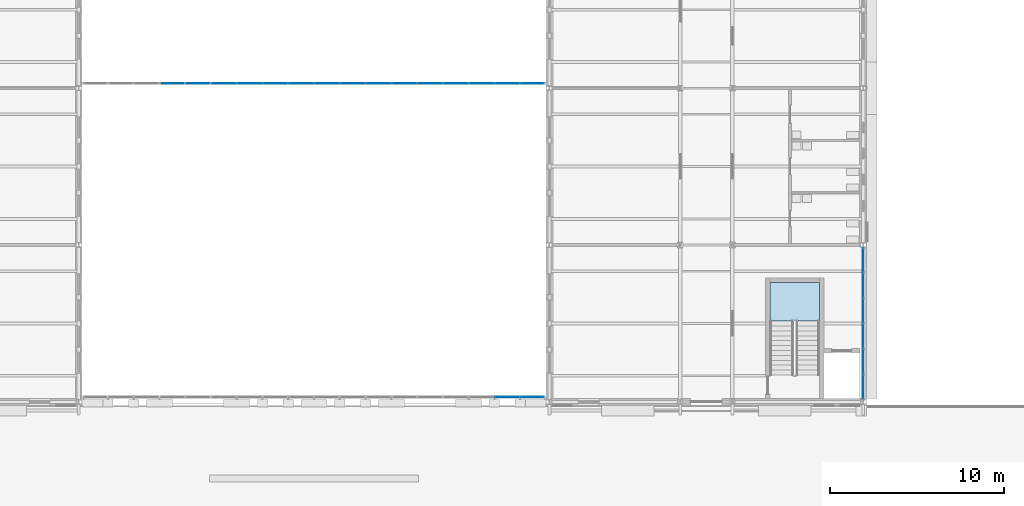
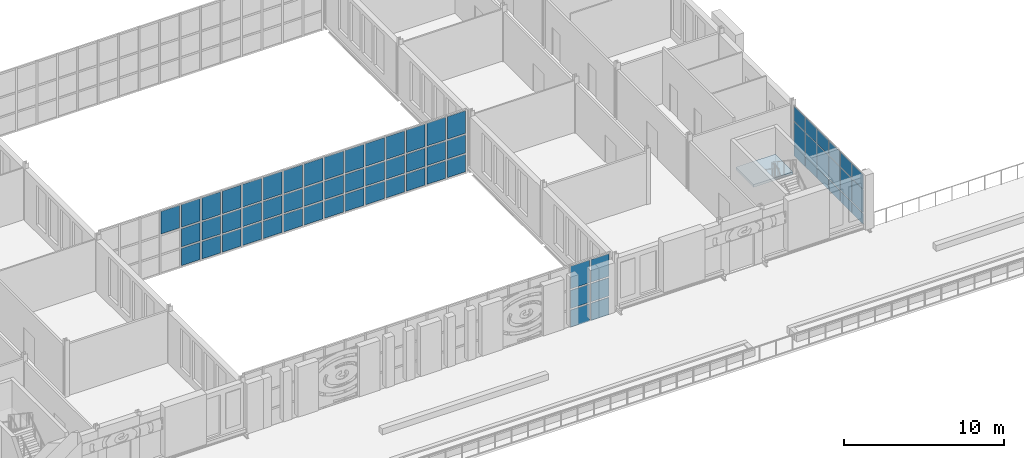
# One storey, part 60 of 134: 67 plates, 1 slab, 4 elements without a shape of their own.
"""IFC4 building model written with IfcOpenShell, lengths in metres."""

import ifcopenshell
import ifcopenshell.guid

model = None  # the IFC model being written
_history = None  # IfcOwnerHistory: only IFC2X3 demands one
_inside = {}  # id of a spatial element -> (the spatial element, [elements in it])
_under = {}  # id of a project, library or spatial element -> (it, [spatial elements below it])
_declared = {}  # id of a project -> (the project, [libraries it declares])
_typed = {}  # id of a type object -> (the type object, [elements of that type])
_made_of = {}  # id of a material, layer set ... -> (it, [elements and type objects made of it])


def new_model(schema):
    """Start an empty IFC model of exactly this schema.

    Asked for "IFC4X3", IfcOpenShell would pick the latest addendum, in which some entities
    have other attributes; the version numbers below select the first issue.
    IFC2X3 requires an IfcOwnerHistory on every rooted entity: one is made here for all.
    """
    global model, _history
    if schema == "IFC4X3":
        model = ifcopenshell.file(schema_version=(4, 3, 0, 0))
    else:
        model = ifcopenshell.file(schema=schema)
    _inside.clear()
    _under.clear()
    _declared.clear()
    _typed.clear()
    _made_of.clear()
    _history = None
    if model.schema == "IFC2X3":
        org = make("IfcOrganization", Name="unknown")
        user = make(
            "IfcPersonAndOrganization",
            ThePerson=make("IfcPerson", FamilyName="unknown"),
            TheOrganization=org,
        )
        app = make(
            "IfcApplication",
            ApplicationDeveloper=org,
            Version="unknown",
            ApplicationFullName="unknown",
            ApplicationIdentifier="unknown",
        )
        _history = make(
            "IfcOwnerHistory",
            OwningUser=user,
            OwningApplication=app,
            ChangeAction="ADDED",
            CreationDate=0,
        )
    return model


def make(cls, **values):
    """One entity of the class cls with the attributes given. An attribute that is None is left unset."""
    return model.create_entity(
        cls, **{name: value for name, value in values.items() if value is not None}
    )


def rooted(cls, **values):
    """An entity with a GlobalId (a new one), such as an element, a storey or a relation."""
    return make(cls, GlobalId=ifcopenshell.guid.new(), OwnerHistory=_history, **values)


def si_unit(unit_type, name, prefix=None):
    """IfcSIUnit, for example si_unit("LENGTHUNIT", "METRE", prefix="MILLI")."""
    return make("IfcSIUnit", UnitType=unit_type, Prefix=prefix, Name=name)


def assignment(units):
    """IfcUnitAssignment: the units of a project."""
    return None if units is None else make("IfcUnitAssignment", Units=units)


def point(xyz):
    """IfcCartesianPoint."""
    return None if xyz is None else make("IfcCartesianPoint", Coordinates=xyz)


def direction(xyz):
    """IfcDirection."""
    return None if xyz is None else make("IfcDirection", DirectionRatios=xyz)


def frame(location, z_axis=None, x_axis=None):
    """IfcAxis2Placement3D, a coordinate frame: its origin and axes. An axis left out is left unset."""
    return make(
        "IfcAxis2Placement3D",
        Location=point(location),
        Axis=direction(z_axis),
        RefDirection=direction(x_axis),
    )


def frame_2d(location, x_axis=None):
    """IfcAxis2Placement2D, a coordinate frame in the plane: its origin and x axis."""
    return make(
        "IfcAxis2Placement2D", Location=point(location), RefDirection=direction(x_axis)
    )


def origin():
    """The frame at (0, 0, 0) with its axes left unset."""
    return frame((0.0, 0.0, 0.0))


def origin_2d():
    """The frame at (0, 0) in the plane with its x axis left unset."""
    return frame_2d((0.0, 0.0))


def place(relative_to, where):
    """IfcLocalPlacement: puts the frame where relative to a parent placement (None: the world)."""
    return make(
        "IfcLocalPlacement", PlacementRelTo=relative_to, RelativePlacement=where
    )


def context(
    kind, dimensions, precision=None, world=None, true_north=None, identifier=None
):
    """IfcGeometricRepresentationContext, for example the 3D "Model" context."""
    return make(
        "IfcGeometricRepresentationContext",
        ContextIdentifier=identifier,
        ContextType=kind,
        CoordinateSpaceDimension=dimensions,
        Precision=precision,
        WorldCoordinateSystem=world,
        TrueNorth=true_north,
    )


def subcontext(parent, identifier, kind, view, scale=None):
    """IfcGeometricRepresentationSubContext, for example "Body" below "Model"."""
    return make(
        "IfcGeometricRepresentationSubContext",
        ContextIdentifier=identifier,
        ContextType=kind,
        ParentContext=parent,
        TargetScale=scale,
        TargetView=view,
    )


def project(units=None, contexts=None):
    """IfcProject with its units and contexts."""
    return rooted(
        "IfcProject",
        Name="project",
        RepresentationContexts=contexts,
        UnitsInContext=assignment(units),
    )


def spatial(cls, under=None, at=None, **own):
    """A site, building, storey or space (cls), placed at a placement, below another one or the project."""
    s = rooted(cls, ObjectPlacement=at, **own)
    if under is not None:
        _under.setdefault(under.id(), (under, []))[1].append(s)
    return s


def polyline(points):
    """IfcPolyline through the points."""
    return make("IfcPolyline", Points=[point(p) for p in points])


def profile(cls, at=None, kind="AREA", **sizes):
    """A parametric profile (cls). Its sizes go by their IFC names, for example OverallWidth=200.0."""
    return make(cls, ProfileType=kind, Position=at, **sizes)


def rectangle(**sizes):
    """IfcRectangleProfileDef."""
    return profile("IfcRectangleProfileDef", **sizes)


def outline(outer, holes=None, kind="AREA"):
    """IfcArbitraryClosedProfileDef: a profile drawn as a closed curve; with holes, ...WithVoids."""
    if holes is None:
        return make("IfcArbitraryClosedProfileDef", ProfileType=kind, OuterCurve=outer)
    return make(
        "IfcArbitraryProfileDefWithVoids",
        ProfileType=kind,
        OuterCurve=outer,
        InnerCurves=holes,
    )


def extrude(swept, where, along, depth):
    """IfcExtrudedAreaSolid: the profile swept, set in the frame where, extruded along a direction by depth."""
    return make(
        "IfcExtrudedAreaSolid",
        SweptArea=swept,
        Position=where,
        ExtrudedDirection=direction(along),
        Depth=depth,
    )


def shape(context_of_items, identifier, shape_type, items):
    """IfcShapeRepresentation: the items that make up one representation, for example the "Body"."""
    return make(
        "IfcShapeRepresentation",
        ContextOfItems=context_of_items,
        RepresentationIdentifier=identifier,
        RepresentationType=shape_type,
        Items=items,
    )


def material(Name=None, Category=None):
    """IfcMaterial."""
    return make("IfcMaterial", Name=Name, Category=Category)


def layer(
    of_material, thickness, ventilated=None, Name=None, Category=None, Priority=None
):
    """IfcMaterialLayer: one layer of a wall or slab, of a material (None: an air gap)."""
    return make(
        "IfcMaterialLayer",
        Material=of_material,
        LayerThickness=thickness,
        IsVentilated=ventilated,
        Name=Name,
        Category=Category,
        Priority=Priority,
    )


def layer_set(layers, Name=None):
    """IfcMaterialLayerSet."""
    return make("IfcMaterialLayerSet", MaterialLayers=layers, LayerSetName=Name)


def made_of(thing, what):
    """Note that an element or type object is made of a material, layer set ...; save() writes the relation."""
    if what is not None:
        _made_of.setdefault(what.id(), (what, []))[1].append(thing)
    return thing


def type_object(cls, material=None, **own):
    """A type object (cls), such as IfcWallType, which elements share."""
    return made_of(rooted(cls, **own), material)


def element(
    cls,
    number,
    at=None,
    inside=None,
    cuts=None,
    type_object=None,
    material=None,
    context=None,
    identifier="Body",
    shape_type=None,
    held_by="IfcProductDefinitionShape",
    body=None,
    shapes=None,
    **own,
):
    """One element of the class cls, such as IfcWall. Its Tag is "e" and its number.

    at: its placement. inside: the storey or other place that contains it. cuts: it is an
    opening in that element (IfcRelVoidsElement). A single representation is given by context,
    identifier, shape_type and body (its items); several are given by shapes. held_by: the class
    of the entity that holds the representations. save() writes the other relations.
    """
    e = rooted(cls, Tag="e%d" % number, ObjectPlacement=at, **own)
    if body is not None:
        shapes = [shape(context, identifier, shape_type, body)]
    if shapes is not None:
        e.Representation = make(held_by, Representations=shapes)
    if inside is not None:
        _inside.setdefault(inside.id(), (inside, []))[1].append(e)
    if cuts is not None:
        rooted(
            "IfcRelVoidsElement", RelatingBuildingElement=cuts, RelatedOpeningElement=e
        )
    if type_object is not None:
        _typed.setdefault(type_object.id(), (type_object, []))[1].append(e)
    return made_of(e, material)


def aggregate(whole, parts):
    """IfcRelAggregates: a whole, such as a stair, and the parts it consists of."""
    return rooted("IfcRelAggregates", RelatingObject=whole, RelatedObjects=parts)


def save(model, path):
    """Write the relations noted so far, then the file.

    IfcRelAggregates (storeys below a building ...), IfcRelContainedInSpatialStructure (elements
    in a storey), IfcRelDefinesByType, IfcRelAssociatesMaterial and IfcRelDeclares: one each for
    every whole, place, type object, material and project.
    """
    for whole, parts in _under.values():
        aggregate(whole, parts)
    for where, things in _inside.values():
        rooted(
            "IfcRelContainedInSpatialStructure",
            RelatedElements=things,
            RelatingStructure=where,
        )
    for kind, things in _typed.values():
        rooted("IfcRelDefinesByType", RelatedObjects=things, RelatingType=kind)
    for what, things in _made_of.values():
        rooted("IfcRelAssociatesMaterial", RelatedObjects=things, RelatingMaterial=what)
    for by, libraries in _declared.values():
        rooted("IfcRelDeclares", RelatingContext=by, RelatedDefinitions=libraries)
    model.write(path)


model = new_model("IFC4")

# Units and contexts
model_context = context("Model", 3, precision=1e-05, world=origin(), true_north=direction((0.0, 1.0)))
body_context = subcontext(model_context, "Body", "Model", "MODEL_VIEW")
ifc_project = project(units=[si_unit("LENGTHUNIT", "METRE"), si_unit("AREAUNIT", "SQUARE_METRE"), si_unit("VOLUMEUNIT", "CUBIC_METRE"), si_unit("PLANEANGLEUNIT", "RADIAN"), si_unit("MASSUNIT", "GRAM", prefix="KILO")], contexts=[model_context])

# Site, building, storey
site_placement = place(None, origin())
site = spatial("IfcSite", under=ifc_project, at=site_placement, CompositionType="ELEMENT")
building_placement = place(site_placement, origin())
building = spatial("IfcBuilding", under=site, at=building_placement, Name="Golden Quay Civic Hall", CompositionType="ELEMENT")
storey_placement = place(building_placement, frame((0.0, 0.0, 5.39990234375)))
storey = spatial("IfcBuildingStorey", under=building, at=storey_placement, Name="L01", CompositionType="ELEMENT", Elevation=5.39990234375)

# Stair, slab
ifc_material_1 = material(Name="Concrete C35/45", Category="concrete")
stair_type = type_object("IfcStairType", Name="Concrete stair 1350 wide 24 risers of 187.5", PredefinedType="HALF_TURN_STAIR", material=ifc_material_1)
stair_placement = place(storey_placement, origin())
stair = element("IfcStair", 1, at=stair_placement, inside=storey, type_object=stair_type, Name="L01 Stair EM-S", PredefinedType="HALF_TURN_STAIR")
ifc_material_2 = material(Name="Concrete C35/45", Category="concrete")
ifc_layer_1 = layer(ifc_material_2, 0.199951171875)
ifc_layer_set_1 = layer_set([ifc_layer_1], Name="Concrete stair landing 200, Concrete C35/45")
slab_type = type_object("IfcSlabType", Name="Concrete stair landing 200", PredefinedType="LANDING", material=ifc_layer_set_1)
slab_placement = place(storey_placement, frame((0.0, 0.0, 2.050048828125)))
slab = element("IfcSlab", 2, at=slab_placement, type_object=slab_type, Name="EM-S landing 1", PredefinedType="LANDING", context=body_context, shape_type="SweptSolid", body=[
    extrude(outline(polyline([(114.5, 4.6298828125), (114.5, 6.85009765625), (111.64990234375, 6.85009765625), (111.64990234375, 4.6298828125), (114.5, 4.6298828125)])), origin(), (0.0, 0.0, 1.0), 0.199951171875),
])
aggregate(stair, [slab])

# Curtain wall, plates
ifc_material_3 = material(Name="Glass, laminated double glazed", Category="glass")
ifc_layer_2 = layer(ifc_material_3, 0.199951171875)
ifc_layer_set_2 = layer_set([ifc_layer_2], Name="Glazed core strip curtain wall")
curtain_wall_type_1 = type_object("IfcCurtainWallType", Name="Glazed core strip curtain wall", PredefinedType="NOTDEFINED", material=ifc_layer_set_2)
curtain_wall_1_placement = place(storey_placement, origin())
curtain_wall_1 = element("IfcCurtainWall", 3, at=curtain_wall_1_placement, inside=storey, type_object=curtain_wall_type_1, Name="Glazed core strip curtain wall L01 4", PredefinedType="NOTDEFINED")
ifc_material_4 = material(Name="Glass, laminated double glazed", Category="glass")
ifc_layer_3 = layer(ifc_material_4, 0.028076171875)
ifc_layer_set_3 = layer_set([ifc_layer_3], Name="Double glazed curtain wall panel 28")
plate_type_1 = type_object("IfcPlateType", Name="Double glazed curtain wall panel 28", PredefinedType="CURTAIN_PANEL", material=ifc_layer_set_3)
plate_1_placement = place(storey_placement, frame((117.0, 8.12255859375, 0.06005859375), z_axis=(0.0, 0.0, 1.0), x_axis=(0.0, -1.0, 0.0)))
plate_1 = element("IfcPlate", 4, at=plate_1_placement, type_object=plate_type_1, Name="CW2 panel 1.1", PredefinedType="CURTAIN_PANEL", context=body_context, shape_type="SweptSolid", body=[
    extrude(rectangle(XDim=1.364990234375, YDim=0.028076171875, at=origin_2d()), origin(), (0.0, 0.0, 1.0), 0.81005859375),
])
plate_2_placement = place(storey_placement, frame((117.0, 8.12255859375, 0.93017578125), z_axis=(0.0, 0.0, 1.0), x_axis=(0.0, -1.0, 0.0)))
plate_2 = element("IfcPlate", 5, at=plate_2_placement, type_object=plate_type_1, Name="CW2 panel 1.2", PredefinedType="CURTAIN_PANEL", context=body_context, shape_type="SweptSolid", body=[
    extrude(rectangle(XDim=1.364990234375, YDim=0.028076171875, at=origin_2d()), origin(), (0.0, 0.0, 1.0), 1.739990234375),
])
plate_3_placement = place(storey_placement, frame((117.0, 8.12255859375, 2.72998046875), z_axis=(0.0, 0.0, 1.0), x_axis=(0.0, -1.0, 0.0)))
plate_3 = element("IfcPlate", 6, at=plate_3_placement, type_object=plate_type_1, Name="CW2 panel 1.3", PredefinedType="CURTAIN_PANEL", context=body_context, shape_type="SweptSolid", body=[
    extrude(rectangle(XDim=1.364990234375, YDim=0.028076171875, at=origin_2d()), origin(), (0.0, 0.0, 1.0), 1.110107421875),
])
plate_4_placement = place(storey_placement, frame((117.0, 6.6826171875, 0.06005859375), z_axis=(0.0, 0.0, 1.0), x_axis=(0.0, -1.0, 0.0)))
plate_4 = element("IfcPlate", 7, at=plate_4_placement, type_object=plate_type_1, Name="CW2 panel 2.1", PredefinedType="CURTAIN_PANEL", context=body_context, shape_type="SweptSolid", body=[
    extrude(rectangle(XDim=1.39501953125, YDim=0.028076171875, at=origin_2d()), origin(), (0.0, 0.0, 1.0), 0.81005859375),
])
plate_5_placement = place(storey_placement, frame((117.0, 6.6826171875, 0.93017578125), z_axis=(0.0, 0.0, 1.0), x_axis=(0.0, -1.0, 0.0)))
plate_5 = element("IfcPlate", 8, at=plate_5_placement, type_object=plate_type_1, Name="CW2 panel 2.2", PredefinedType="CURTAIN_PANEL", context=body_context, shape_type="SweptSolid", body=[
    extrude(rectangle(XDim=1.39501953125, YDim=0.028076171875, at=origin_2d()), origin(), (0.0, 0.0, 1.0), 1.739990234375),
])
plate_6_placement = place(storey_placement, frame((117.0, 6.6826171875, 2.72998046875), z_axis=(0.0, 0.0, 1.0), x_axis=(0.0, -1.0, 0.0)))
plate_6 = element("IfcPlate", 9, at=plate_6_placement, type_object=plate_type_1, Name="CW2 panel 2.3", PredefinedType="CURTAIN_PANEL", context=body_context, shape_type="SweptSolid", body=[
    extrude(rectangle(XDim=1.39501953125, YDim=0.028076171875, at=origin_2d()), origin(), (0.0, 0.0, 1.0), 1.110107421875),
])
plate_7_placement = place(storey_placement, frame((117.0, 5.2275390625, 0.06005859375), z_axis=(0.0, 0.0, 1.0), x_axis=(0.0, -1.0, 0.0)))
plate_7 = element("IfcPlate", 10, at=plate_7_placement, type_object=plate_type_1, Name="CW2 panel 3.1", PredefinedType="CURTAIN_PANEL", context=body_context, shape_type="SweptSolid", body=[
    extrude(rectangle(XDim=1.39501953125, YDim=0.028076171875, at=origin_2d()), origin(), (0.0, 0.0, 1.0), 0.81005859375),
])
plate_8_placement = place(storey_placement, frame((117.0, 5.2275390625, 0.93017578125), z_axis=(0.0, 0.0, 1.0), x_axis=(0.0, -1.0, 0.0)))
plate_8 = element("IfcPlate", 11, at=plate_8_placement, type_object=plate_type_1, Name="CW2 panel 3.2", PredefinedType="CURTAIN_PANEL", context=body_context, shape_type="SweptSolid", body=[
    extrude(rectangle(XDim=1.39501953125, YDim=0.028076171875, at=origin_2d()), origin(), (0.0, 0.0, 1.0), 1.739990234375),
])
plate_9_placement = place(storey_placement, frame((117.0, 5.2275390625, 2.72998046875), z_axis=(0.0, 0.0, 1.0), x_axis=(0.0, -1.0, 0.0)))
plate_9 = element("IfcPlate", 12, at=plate_9_placement, type_object=plate_type_1, Name="CW2 panel 3.3", PredefinedType="CURTAIN_PANEL", context=body_context, shape_type="SweptSolid", body=[
    extrude(rectangle(XDim=1.39501953125, YDim=0.028076171875, at=origin_2d()), origin(), (0.0, 0.0, 1.0), 1.110107421875),
])
plate_10_placement = place(storey_placement, frame((117.0, 3.7724609375, 0.06005859375), z_axis=(0.0, 0.0, 1.0), x_axis=(0.0, -1.0, 0.0)))
plate_10 = element("IfcPlate", 13, at=plate_10_placement, type_object=plate_type_1, Name="CW2 panel 4.1", PredefinedType="CURTAIN_PANEL", context=body_context, shape_type="SweptSolid", body=[
    extrude(rectangle(XDim=1.39501953125, YDim=0.028076171875, at=origin_2d()), origin(), (0.0, 0.0, 1.0), 0.81005859375),
])
plate_11_placement = place(storey_placement, frame((117.0, 3.7724609375, 0.93017578125), z_axis=(0.0, 0.0, 1.0), x_axis=(0.0, -1.0, 0.0)))
plate_11 = element("IfcPlate", 14, at=plate_11_placement, type_object=plate_type_1, Name="CW2 panel 4.2", PredefinedType="CURTAIN_PANEL", context=body_context, shape_type="SweptSolid", body=[
    extrude(rectangle(XDim=1.39501953125, YDim=0.028076171875, at=origin_2d()), origin(), (0.0, 0.0, 1.0), 1.739990234375),
])
plate_12_placement = place(storey_placement, frame((117.0, 3.7724609375, 2.72998046875), z_axis=(0.0, 0.0, 1.0), x_axis=(0.0, -1.0, 0.0)))
plate_12 = element("IfcPlate", 15, at=plate_12_placement, type_object=plate_type_1, Name="CW2 panel 4.3", PredefinedType="CURTAIN_PANEL", context=body_context, shape_type="SweptSolid", body=[
    extrude(rectangle(XDim=1.39501953125, YDim=0.028076171875, at=origin_2d()), origin(), (0.0, 0.0, 1.0), 1.110107421875),
])
plate_13_placement = place(storey_placement, frame((117.0, 2.3173828125, 0.06005859375), z_axis=(0.0, 0.0, 1.0), x_axis=(0.0, -1.0, 0.0)))
plate_13 = element("IfcPlate", 16, at=plate_13_placement, type_object=plate_type_1, Name="CW2 panel 5.1", PredefinedType="CURTAIN_PANEL", context=body_context, shape_type="SweptSolid", body=[
    extrude(rectangle(XDim=1.39501953125, YDim=0.028076171875, at=origin_2d()), origin(), (0.0, 0.0, 1.0), 0.81005859375),
])
plate_14_placement = place(storey_placement, frame((117.0, 2.3173828125, 0.93017578125), z_axis=(0.0, 0.0, 1.0), x_axis=(0.0, -1.0, 0.0)))
plate_14 = element("IfcPlate", 17, at=plate_14_placement, type_object=plate_type_1, Name="CW2 panel 5.2", PredefinedType="CURTAIN_PANEL", context=body_context, shape_type="SweptSolid", body=[
    extrude(rectangle(XDim=1.39501953125, YDim=0.028076171875, at=origin_2d()), origin(), (0.0, 0.0, 1.0), 1.739990234375),
])
plate_15_placement = place(storey_placement, frame((117.0, 2.3173828125, 2.72998046875), z_axis=(0.0, 0.0, 1.0), x_axis=(0.0, -1.0, 0.0)))
plate_15 = element("IfcPlate", 18, at=plate_15_placement, type_object=plate_type_1, Name="CW2 panel 5.3", PredefinedType="CURTAIN_PANEL", context=body_context, shape_type="SweptSolid", body=[
    extrude(rectangle(XDim=1.39501953125, YDim=0.028076171875, at=origin_2d()), origin(), (0.0, 0.0, 1.0), 1.110107421875),
])
plate_16_placement = place(storey_placement, frame((117.0, 0.87744140625, 0.06005859375), z_axis=(0.0, 0.0, 1.0), x_axis=(0.0, -1.0, 0.0)))
plate_16 = element("IfcPlate", 19, at=plate_16_placement, type_object=plate_type_1, Name="CW2 panel 6.1", PredefinedType="CURTAIN_PANEL", context=body_context, shape_type="SweptSolid", body=[
    extrude(rectangle(XDim=1.364990234375, YDim=0.028076171875, at=origin_2d()), origin(), (0.0, 0.0, 1.0), 0.81005859375),
])
plate_17_placement = place(storey_placement, frame((117.0, 0.87744140625, 0.93017578125), z_axis=(0.0, 0.0, 1.0), x_axis=(0.0, -1.0, 0.0)))
plate_17 = element("IfcPlate", 20, at=plate_17_placement, type_object=plate_type_1, Name="CW2 panel 6.2", PredefinedType="CURTAIN_PANEL", context=body_context, shape_type="SweptSolid", body=[
    extrude(rectangle(XDim=1.364990234375, YDim=0.028076171875, at=origin_2d()), origin(), (0.0, 0.0, 1.0), 1.739990234375),
])
plate_18_placement = place(storey_placement, frame((117.0, 0.87744140625, 2.72998046875), z_axis=(0.0, 0.0, 1.0), x_axis=(0.0, -1.0, 0.0)))
plate_18 = element("IfcPlate", 21, at=plate_18_placement, type_object=plate_type_1, Name="CW2 panel 6.3", PredefinedType="CURTAIN_PANEL", context=body_context, shape_type="SweptSolid", body=[
    extrude(rectangle(XDim=1.364990234375, YDim=0.028076171875, at=origin_2d()), origin(), (0.0, 0.0, 1.0), 1.110107421875),
])
aggregate(curtain_wall_1, [plate_1, plate_2, plate_3, plate_4, plate_5, plate_6, plate_7, plate_8, plate_9, plate_10, plate_11, plate_12, plate_13, plate_14, plate_15, plate_16, plate_17, plate_18])

ifc_material_5 = material(Name="Fire-resisting glass and steel", Category="steel")
curtain_wall_type_2 = type_object("IfcCurtainWallType", Name="Fire-resisting glazed curtain wall EI 120", PredefinedType="NOTDEFINED", material=ifc_material_5)
curtain_wall_2_placement = place(storey_placement, origin())
curtain_wall_2 = element("IfcCurtainWall", 22, at=curtain_wall_2_placement, inside=storey, type_object=curtain_wall_type_2, Name="CW3 curtain wall", PredefinedType="NOTDEFINED")
ifc_material_6 = material(Name="Fire-resisting laminated glass", Category="glass")
ifc_layer_4 = layer(ifc_material_6, 0.0400390625)
ifc_layer_set_4 = layer_set([ifc_layer_4], Name="Fire-resisting glazed panel 40")
plate_type_2 = type_object("IfcPlateType", Name="Fire-resisting glazed panel 40", PredefinedType="CURTAIN_PANEL", material=ifc_layer_set_4)
plate_19_placement = place(storey_placement, frame((77.372314453125, 18.27001953125, 2.4599609375), z_axis=(0.0, 0.0, 1.0), x_axis=(1.0, 0.0, 0.0)))
plate_19 = element("IfcPlate", 23, at=plate_19_placement, type_object=plate_type_2, Name="CW3 panel 4.3", PredefinedType="CURTAIN_PANEL", context=body_context, shape_type="SweptSolid", body=[
    extrude(rectangle(XDim=1.357666015625, YDim=0.0400390625, at=origin_2d()), origin(), (0.0, 0.0, 1.0), 1.719970703125),
])
plate_20_placement = place(storey_placement, frame((78.85009765625, 18.27001953125, -0.47998046875), z_axis=(0.0, 0.0, 1.0), x_axis=(1.0, 0.0, 0.0)))
plate_20 = element("IfcPlate", 24, at=plate_20_placement, type_object=plate_type_2, Name="CW3 panel 5.1", PredefinedType="CURTAIN_PANEL", context=body_context, shape_type="SweptSolid", body=[
    extrude(rectangle(XDim=1.357666015625, YDim=0.0400390625, at=origin_2d()), origin(), (0.0, 0.0, 1.0), 1.320068359375),
])
plate_21_placement = place(storey_placement, frame((78.85009765625, 18.27001953125, 0.960205078125), z_axis=(0.0, 0.0, 1.0), x_axis=(1.0, 0.0, 0.0)))
plate_21 = element("IfcPlate", 25, at=plate_21_placement, type_object=plate_type_2, Name="CW3 panel 5.2", PredefinedType="CURTAIN_PANEL", context=body_context, shape_type="SweptSolid", body=[
    extrude(rectangle(XDim=1.357666015625, YDim=0.0400390625, at=origin_2d()), origin(), (0.0, 0.0, 1.0), 1.3798828125),
])
plate_22_placement = place(storey_placement, frame((78.85009765625, 18.27001953125, 2.4599609375), z_axis=(0.0, 0.0, 1.0), x_axis=(1.0, 0.0, 0.0)))
plate_22 = element("IfcPlate", 26, at=plate_22_placement, type_object=plate_type_2, Name="CW3 panel 5.3", PredefinedType="CURTAIN_PANEL", context=body_context, shape_type="SweptSolid", body=[
    extrude(rectangle(XDim=1.357666015625, YDim=0.0400390625, at=origin_2d()), origin(), (0.0, 0.0, 1.0), 1.719970703125),
])
plate_23_placement = place(storey_placement, frame((80.327880859375, 18.27001953125, -0.47998046875), z_axis=(0.0, 0.0, 1.0), x_axis=(1.0, 0.0, 0.0)))
plate_23 = element("IfcPlate", 27, at=plate_23_placement, type_object=plate_type_2, Name="CW3 panel 6.1", PredefinedType="CURTAIN_PANEL", context=body_context, shape_type="SweptSolid", body=[
    extrude(rectangle(XDim=1.357666015625, YDim=0.0400390625, at=origin_2d()), origin(), (0.0, 0.0, 1.0), 1.320068359375),
])
plate_24_placement = place(storey_placement, frame((80.327880859375, 18.27001953125, 0.960205078125), z_axis=(0.0, 0.0, 1.0), x_axis=(1.0, 0.0, 0.0)))
plate_24 = element("IfcPlate", 28, at=plate_24_placement, type_object=plate_type_2, Name="CW3 panel 6.2", PredefinedType="CURTAIN_PANEL", context=body_context, shape_type="SweptSolid", body=[
    extrude(rectangle(XDim=1.357666015625, YDim=0.0400390625, at=origin_2d()), origin(), (0.0, 0.0, 1.0), 1.3798828125),
])
plate_25_placement = place(storey_placement, frame((80.327880859375, 18.27001953125, 2.4599609375), z_axis=(0.0, 0.0, 1.0), x_axis=(1.0, 0.0, 0.0)))
plate_25 = element("IfcPlate", 29, at=plate_25_placement, type_object=plate_type_2, Name="CW3 panel 6.3", PredefinedType="CURTAIN_PANEL", context=body_context, shape_type="SweptSolid", body=[
    extrude(rectangle(XDim=1.357666015625, YDim=0.0400390625, at=origin_2d()), origin(), (0.0, 0.0, 1.0), 1.719970703125),
])
plate_26_placement = place(storey_placement, frame((81.8056640625, 18.27001953125, -0.47998046875), z_axis=(0.0, 0.0, 1.0), x_axis=(1.0, 0.0, 0.0)))
plate_26 = element("IfcPlate", 30, at=plate_26_placement, type_object=plate_type_2, Name="CW3 panel 7.1", PredefinedType="CURTAIN_PANEL", context=body_context, shape_type="SweptSolid", body=[
    extrude(rectangle(XDim=1.357666015625, YDim=0.0400390625, at=origin_2d()), origin(), (0.0, 0.0, 1.0), 1.320068359375),
])
plate_27_placement = place(storey_placement, frame((81.8056640625, 18.27001953125, 0.960205078125), z_axis=(0.0, 0.0, 1.0), x_axis=(1.0, 0.0, 0.0)))
plate_27 = element("IfcPlate", 31, at=plate_27_placement, type_object=plate_type_2, Name="CW3 panel 7.2", PredefinedType="CURTAIN_PANEL", context=body_context, shape_type="SweptSolid", body=[
    extrude(rectangle(XDim=1.357666015625, YDim=0.0400390625, at=origin_2d()), origin(), (0.0, 0.0, 1.0), 1.3798828125),
])
plate_28_placement = place(storey_placement, frame((81.8056640625, 18.27001953125, 2.4599609375), z_axis=(0.0, 0.0, 1.0), x_axis=(1.0, 0.0, 0.0)))
plate_28 = element("IfcPlate", 32, at=plate_28_placement, type_object=plate_type_2, Name="CW3 panel 7.3", PredefinedType="CURTAIN_PANEL", context=body_context, shape_type="SweptSolid", body=[
    extrude(rectangle(XDim=1.357666015625, YDim=0.0400390625, at=origin_2d()), origin(), (0.0, 0.0, 1.0), 1.719970703125),
])
plate_29_placement = place(storey_placement, frame((83.283447265625, 18.27001953125, -0.47998046875), z_axis=(0.0, 0.0, 1.0), x_axis=(1.0, 0.0, 0.0)))
plate_29 = element("IfcPlate", 33, at=plate_29_placement, type_object=plate_type_2, Name="CW3 panel 8.1", PredefinedType="CURTAIN_PANEL", context=body_context, shape_type="SweptSolid", body=[
    extrude(rectangle(XDim=1.357666015625, YDim=0.0400390625, at=origin_2d()), origin(), (0.0, 0.0, 1.0), 1.320068359375),
])
plate_30_placement = place(storey_placement, frame((83.283447265625, 18.27001953125, 0.960205078125), z_axis=(0.0, 0.0, 1.0), x_axis=(1.0, 0.0, 0.0)))
plate_30 = element("IfcPlate", 34, at=plate_30_placement, type_object=plate_type_2, Name="CW3 panel 8.2", PredefinedType="CURTAIN_PANEL", context=body_context, shape_type="SweptSolid", body=[
    extrude(rectangle(XDim=1.357666015625, YDim=0.0400390625, at=origin_2d()), origin(), (0.0, 0.0, 1.0), 1.3798828125),
])
plate_31_placement = place(storey_placement, frame((83.283447265625, 18.27001953125, 2.4599609375), z_axis=(0.0, 0.0, 1.0), x_axis=(1.0, 0.0, 0.0)))
plate_31 = element("IfcPlate", 35, at=plate_31_placement, type_object=plate_type_2, Name="CW3 panel 8.3", PredefinedType="CURTAIN_PANEL", context=body_context, shape_type="SweptSolid", body=[
    extrude(rectangle(XDim=1.357666015625, YDim=0.0400390625, at=origin_2d()), origin(), (0.0, 0.0, 1.0), 1.719970703125),
])
plate_32_placement = place(storey_placement, frame((84.76123046875, 18.27001953125, -0.47998046875), z_axis=(0.0, 0.0, 1.0), x_axis=(1.0, 0.0, 0.0)))
plate_32 = element("IfcPlate", 36, at=plate_32_placement, type_object=plate_type_2, Name="CW3 panel 9.1", PredefinedType="CURTAIN_PANEL", context=body_context, shape_type="SweptSolid", body=[
    extrude(rectangle(XDim=1.357666015625, YDim=0.0400390625, at=origin_2d()), origin(), (0.0, 0.0, 1.0), 1.320068359375),
])
plate_33_placement = place(storey_placement, frame((84.76123046875, 18.27001953125, 0.960205078125), z_axis=(0.0, 0.0, 1.0), x_axis=(1.0, 0.0, 0.0)))
plate_33 = element("IfcPlate", 37, at=plate_33_placement, type_object=plate_type_2, Name="CW3 panel 9.2", PredefinedType="CURTAIN_PANEL", context=body_context, shape_type="SweptSolid", body=[
    extrude(rectangle(XDim=1.357666015625, YDim=0.0400390625, at=origin_2d()), origin(), (0.0, 0.0, 1.0), 1.3798828125),
])
plate_34_placement = place(storey_placement, frame((84.76123046875, 18.27001953125, 2.4599609375), z_axis=(0.0, 0.0, 1.0), x_axis=(1.0, 0.0, 0.0)))
plate_34 = element("IfcPlate", 38, at=plate_34_placement, type_object=plate_type_2, Name="CW3 panel 9.3", PredefinedType="CURTAIN_PANEL", context=body_context, shape_type="SweptSolid", body=[
    extrude(rectangle(XDim=1.357666015625, YDim=0.0400390625, at=origin_2d()), origin(), (0.0, 0.0, 1.0), 1.719970703125),
])
plate_35_placement = place(storey_placement, frame((86.23876953125, 18.27001953125, -0.47998046875), z_axis=(0.0, 0.0, 1.0), x_axis=(1.0, 0.0, 0.0)))
plate_35 = element("IfcPlate", 39, at=plate_35_placement, type_object=plate_type_2, Name="CW3 panel 10.1", PredefinedType="CURTAIN_PANEL", context=body_context, shape_type="SweptSolid", body=[
    extrude(rectangle(XDim=1.357666015625, YDim=0.0400390625, at=origin_2d()), origin(), (0.0, 0.0, 1.0), 1.320068359375),
])
plate_36_placement = place(storey_placement, frame((86.23876953125, 18.27001953125, 0.960205078125), z_axis=(0.0, 0.0, 1.0), x_axis=(1.0, 0.0, 0.0)))
plate_36 = element("IfcPlate", 40, at=plate_36_placement, type_object=plate_type_2, Name="CW3 panel 10.2", PredefinedType="CURTAIN_PANEL", context=body_context, shape_type="SweptSolid", body=[
    extrude(rectangle(XDim=1.357666015625, YDim=0.0400390625, at=origin_2d()), origin(), (0.0, 0.0, 1.0), 1.3798828125),
])
plate_37_placement = place(storey_placement, frame((86.23876953125, 18.27001953125, 2.4599609375), z_axis=(0.0, 0.0, 1.0), x_axis=(1.0, 0.0, 0.0)))
plate_37 = element("IfcPlate", 41, at=plate_37_placement, type_object=plate_type_2, Name="CW3 panel 10.3", PredefinedType="CURTAIN_PANEL", context=body_context, shape_type="SweptSolid", body=[
    extrude(rectangle(XDim=1.357666015625, YDim=0.0400390625, at=origin_2d()), origin(), (0.0, 0.0, 1.0), 1.719970703125),
])
plate_38_placement = place(storey_placement, frame((87.716552734375, 18.27001953125, -0.47998046875), z_axis=(0.0, 0.0, 1.0), x_axis=(1.0, 0.0, 0.0)))
plate_38 = element("IfcPlate", 42, at=plate_38_placement, type_object=plate_type_2, Name="CW3 panel 11.1", PredefinedType="CURTAIN_PANEL", context=body_context, shape_type="SweptSolid", body=[
    extrude(rectangle(XDim=1.357666015625, YDim=0.0400390625, at=origin_2d()), origin(), (0.0, 0.0, 1.0), 1.320068359375),
])
plate_39_placement = place(storey_placement, frame((87.716552734375, 18.27001953125, 0.960205078125), z_axis=(0.0, 0.0, 1.0), x_axis=(1.0, 0.0, 0.0)))
plate_39 = element("IfcPlate", 43, at=plate_39_placement, type_object=plate_type_2, Name="CW3 panel 11.2", PredefinedType="CURTAIN_PANEL", context=body_context, shape_type="SweptSolid", body=[
    extrude(rectangle(XDim=1.357666015625, YDim=0.0400390625, at=origin_2d()), origin(), (0.0, 0.0, 1.0), 1.3798828125),
])
plate_40_placement = place(storey_placement, frame((87.716552734375, 18.27001953125, 2.4599609375), z_axis=(0.0, 0.0, 1.0), x_axis=(1.0, 0.0, 0.0)))
plate_40 = element("IfcPlate", 44, at=plate_40_placement, type_object=plate_type_2, Name="CW3 panel 11.3", PredefinedType="CURTAIN_PANEL", context=body_context, shape_type="SweptSolid", body=[
    extrude(rectangle(XDim=1.357666015625, YDim=0.0400390625, at=origin_2d()), origin(), (0.0, 0.0, 1.0), 1.719970703125),
])
plate_41_placement = place(storey_placement, frame((89.1943359375, 18.27001953125, -0.47998046875), z_axis=(0.0, 0.0, 1.0), x_axis=(1.0, 0.0, 0.0)))
plate_41 = element("IfcPlate", 45, at=plate_41_placement, type_object=plate_type_2, Name="CW3 panel 12.1", PredefinedType="CURTAIN_PANEL", context=body_context, shape_type="SweptSolid", body=[
    extrude(rectangle(XDim=1.357666015625, YDim=0.0400390625, at=origin_2d()), origin(), (0.0, 0.0, 1.0), 1.320068359375),
])
plate_42_placement = place(storey_placement, frame((89.1943359375, 18.27001953125, 0.960205078125), z_axis=(0.0, 0.0, 1.0), x_axis=(1.0, 0.0, 0.0)))
plate_42 = element("IfcPlate", 46, at=plate_42_placement, type_object=plate_type_2, Name="CW3 panel 12.2", PredefinedType="CURTAIN_PANEL", context=body_context, shape_type="SweptSolid", body=[
    extrude(rectangle(XDim=1.357666015625, YDim=0.0400390625, at=origin_2d()), origin(), (0.0, 0.0, 1.0), 1.3798828125),
])
plate_43_placement = place(storey_placement, frame((89.1943359375, 18.27001953125, 2.4599609375), z_axis=(0.0, 0.0, 1.0), x_axis=(1.0, 0.0, 0.0)))
plate_43 = element("IfcPlate", 47, at=plate_43_placement, type_object=plate_type_2, Name="CW3 panel 12.3", PredefinedType="CURTAIN_PANEL", context=body_context, shape_type="SweptSolid", body=[
    extrude(rectangle(XDim=1.357666015625, YDim=0.0400390625, at=origin_2d()), origin(), (0.0, 0.0, 1.0), 1.719970703125),
])
plate_44_placement = place(storey_placement, frame((90.672119140625, 18.27001953125, -0.47998046875), z_axis=(0.0, 0.0, 1.0), x_axis=(1.0, 0.0, 0.0)))
plate_44 = element("IfcPlate", 48, at=plate_44_placement, type_object=plate_type_2, Name="CW3 panel 13.1", PredefinedType="CURTAIN_PANEL", context=body_context, shape_type="SweptSolid", body=[
    extrude(rectangle(XDim=1.357666015625, YDim=0.0400390625, at=origin_2d()), origin(), (0.0, 0.0, 1.0), 1.320068359375),
])
plate_45_placement = place(storey_placement, frame((90.672119140625, 18.27001953125, 0.960205078125), z_axis=(0.0, 0.0, 1.0), x_axis=(1.0, 0.0, 0.0)))
plate_45 = element("IfcPlate", 49, at=plate_45_placement, type_object=plate_type_2, Name="CW3 panel 13.2", PredefinedType="CURTAIN_PANEL", context=body_context, shape_type="SweptSolid", body=[
    extrude(rectangle(XDim=1.357666015625, YDim=0.0400390625, at=origin_2d()), origin(), (0.0, 0.0, 1.0), 1.3798828125),
])
plate_46_placement = place(storey_placement, frame((90.672119140625, 18.27001953125, 2.4599609375), z_axis=(0.0, 0.0, 1.0), x_axis=(1.0, 0.0, 0.0)))
plate_46 = element("IfcPlate", 50, at=plate_46_placement, type_object=plate_type_2, Name="CW3 panel 13.3", PredefinedType="CURTAIN_PANEL", context=body_context, shape_type="SweptSolid", body=[
    extrude(rectangle(XDim=1.357666015625, YDim=0.0400390625, at=origin_2d()), origin(), (0.0, 0.0, 1.0), 1.719970703125),
])
plate_47_placement = place(storey_placement, frame((92.14990234375, 18.27001953125, -0.47998046875), z_axis=(0.0, 0.0, 1.0), x_axis=(1.0, 0.0, 0.0)))
plate_47 = element("IfcPlate", 51, at=plate_47_placement, type_object=plate_type_2, Name="CW3 panel 14.1", PredefinedType="CURTAIN_PANEL", context=body_context, shape_type="SweptSolid", body=[
    extrude(rectangle(XDim=1.357666015625, YDim=0.0400390625, at=origin_2d()), origin(), (0.0, 0.0, 1.0), 1.320068359375),
])
plate_48_placement = place(storey_placement, frame((92.14990234375, 18.27001953125, 0.960205078125), z_axis=(0.0, 0.0, 1.0), x_axis=(1.0, 0.0, 0.0)))
plate_48 = element("IfcPlate", 52, at=plate_48_placement, type_object=plate_type_2, Name="CW3 panel 14.2", PredefinedType="CURTAIN_PANEL", context=body_context, shape_type="SweptSolid", body=[
    extrude(rectangle(XDim=1.357666015625, YDim=0.0400390625, at=origin_2d()), origin(), (0.0, 0.0, 1.0), 1.3798828125),
])
plate_49_placement = place(storey_placement, frame((92.14990234375, 18.27001953125, 2.4599609375), z_axis=(0.0, 0.0, 1.0), x_axis=(1.0, 0.0, 0.0)))
plate_49 = element("IfcPlate", 53, at=plate_49_placement, type_object=plate_type_2, Name="CW3 panel 14.3", PredefinedType="CURTAIN_PANEL", context=body_context, shape_type="SweptSolid", body=[
    extrude(rectangle(XDim=1.357666015625, YDim=0.0400390625, at=origin_2d()), origin(), (0.0, 0.0, 1.0), 1.719970703125),
])
plate_50_placement = place(storey_placement, frame((93.627685546875, 18.27001953125, -0.47998046875), z_axis=(0.0, 0.0, 1.0), x_axis=(1.0, 0.0, 0.0)))
plate_50 = element("IfcPlate", 54, at=plate_50_placement, type_object=plate_type_2, Name="CW3 panel 15.1", PredefinedType="CURTAIN_PANEL", context=body_context, shape_type="SweptSolid", body=[
    extrude(rectangle(XDim=1.357666015625, YDim=0.0400390625, at=origin_2d()), origin(), (0.0, 0.0, 1.0), 1.320068359375),
])
plate_51_placement = place(storey_placement, frame((93.627685546875, 18.27001953125, 0.960205078125), z_axis=(0.0, 0.0, 1.0), x_axis=(1.0, 0.0, 0.0)))
plate_51 = element("IfcPlate", 55, at=plate_51_placement, type_object=plate_type_2, Name="CW3 panel 15.2", PredefinedType="CURTAIN_PANEL", context=body_context, shape_type="SweptSolid", body=[
    extrude(rectangle(XDim=1.357666015625, YDim=0.0400390625, at=origin_2d()), origin(), (0.0, 0.0, 1.0), 1.3798828125),
])
plate_52_placement = place(storey_placement, frame((93.627685546875, 18.27001953125, 2.4599609375), z_axis=(0.0, 0.0, 1.0), x_axis=(1.0, 0.0, 0.0)))
plate_52 = element("IfcPlate", 56, at=plate_52_placement, type_object=plate_type_2, Name="CW3 panel 15.3", PredefinedType="CURTAIN_PANEL", context=body_context, shape_type="SweptSolid", body=[
    extrude(rectangle(XDim=1.357666015625, YDim=0.0400390625, at=origin_2d()), origin(), (0.0, 0.0, 1.0), 1.719970703125),
])
plate_53_placement = place(storey_placement, frame((95.10546875, 18.27001953125, -0.47998046875), z_axis=(0.0, 0.0, 1.0), x_axis=(1.0, 0.0, 0.0)))
plate_53 = element("IfcPlate", 57, at=plate_53_placement, type_object=plate_type_2, Name="CW3 panel 16.1", PredefinedType="CURTAIN_PANEL", context=body_context, shape_type="SweptSolid", body=[
    extrude(rectangle(XDim=1.357666015625, YDim=0.0400390625, at=origin_2d()), origin(), (0.0, 0.0, 1.0), 1.320068359375),
])
plate_54_placement = place(storey_placement, frame((95.10546875, 18.27001953125, 0.960205078125), z_axis=(0.0, 0.0, 1.0), x_axis=(1.0, 0.0, 0.0)))
plate_54 = element("IfcPlate", 58, at=plate_54_placement, type_object=plate_type_2, Name="CW3 panel 16.2", PredefinedType="CURTAIN_PANEL", context=body_context, shape_type="SweptSolid", body=[
    extrude(rectangle(XDim=1.357666015625, YDim=0.0400390625, at=origin_2d()), origin(), (0.0, 0.0, 1.0), 1.3798828125),
])
plate_55_placement = place(storey_placement, frame((95.10546875, 18.27001953125, 2.4599609375), z_axis=(0.0, 0.0, 1.0), x_axis=(1.0, 0.0, 0.0)))
plate_55 = element("IfcPlate", 59, at=plate_55_placement, type_object=plate_type_2, Name="CW3 panel 16.3", PredefinedType="CURTAIN_PANEL", context=body_context, shape_type="SweptSolid", body=[
    extrude(rectangle(XDim=1.357666015625, YDim=0.0400390625, at=origin_2d()), origin(), (0.0, 0.0, 1.0), 1.719970703125),
])
plate_56_placement = place(storey_placement, frame((96.583251953125, 18.27001953125, -0.47998046875), z_axis=(0.0, 0.0, 1.0), x_axis=(1.0, 0.0, 0.0)))
plate_56 = element("IfcPlate", 60, at=plate_56_placement, type_object=plate_type_2, Name="CW3 panel 17.1", PredefinedType="CURTAIN_PANEL", context=body_context, shape_type="SweptSolid", body=[
    extrude(rectangle(XDim=1.357666015625, YDim=0.0400390625, at=origin_2d()), origin(), (0.0, 0.0, 1.0), 1.320068359375),
])
plate_57_placement = place(storey_placement, frame((96.583251953125, 18.27001953125, 0.960205078125), z_axis=(0.0, 0.0, 1.0), x_axis=(1.0, 0.0, 0.0)))
plate_57 = element("IfcPlate", 61, at=plate_57_placement, type_object=plate_type_2, Name="CW3 panel 17.2", PredefinedType="CURTAIN_PANEL", context=body_context, shape_type="SweptSolid", body=[
    extrude(rectangle(XDim=1.357666015625, YDim=0.0400390625, at=origin_2d()), origin(), (0.0, 0.0, 1.0), 1.3798828125),
])
plate_58_placement = place(storey_placement, frame((96.583251953125, 18.27001953125, 2.4599609375), z_axis=(0.0, 0.0, 1.0), x_axis=(1.0, 0.0, 0.0)))
plate_58 = element("IfcPlate", 62, at=plate_58_placement, type_object=plate_type_2, Name="CW3 panel 17.3", PredefinedType="CURTAIN_PANEL", context=body_context, shape_type="SweptSolid", body=[
    extrude(rectangle(XDim=1.357666015625, YDim=0.0400390625, at=origin_2d()), origin(), (0.0, 0.0, 1.0), 1.719970703125),
])
plate_59_placement = place(storey_placement, frame((98.031005859375, 18.27001953125, -0.47998046875), z_axis=(0.0, 0.0, 1.0), x_axis=(1.0, 0.0, 0.0)))
plate_59 = element("IfcPlate", 63, at=plate_59_placement, type_object=plate_type_2, Name="CW3 panel 18.1", PredefinedType="CURTAIN_PANEL", context=body_context, shape_type="SweptSolid", body=[
    extrude(rectangle(XDim=1.2978515625, YDim=0.0400390625, at=origin_2d()), origin(), (0.0, 0.0, 1.0), 1.320068359375),
])
plate_60_placement = place(storey_placement, frame((98.031005859375, 18.27001953125, 0.960205078125), z_axis=(0.0, 0.0, 1.0), x_axis=(1.0, 0.0, 0.0)))
plate_60 = element("IfcPlate", 64, at=plate_60_placement, type_object=plate_type_2, Name="CW3 panel 18.2", PredefinedType="CURTAIN_PANEL", context=body_context, shape_type="SweptSolid", body=[
    extrude(rectangle(XDim=1.2978515625, YDim=0.0400390625, at=origin_2d()), origin(), (0.0, 0.0, 1.0), 1.3798828125),
])
plate_61_placement = place(storey_placement, frame((98.031005859375, 18.27001953125, 2.4599609375), z_axis=(0.0, 0.0, 1.0), x_axis=(1.0, 0.0, 0.0)))
plate_61 = element("IfcPlate", 65, at=plate_61_placement, type_object=plate_type_2, Name="CW3 panel 18.3", PredefinedType="CURTAIN_PANEL", context=body_context, shape_type="SweptSolid", body=[
    extrude(rectangle(XDim=1.2978515625, YDim=0.0400390625, at=origin_2d()), origin(), (0.0, 0.0, 1.0), 1.719970703125),
])
aggregate(curtain_wall_2, [plate_19, plate_20, plate_21, plate_22, plate_23, plate_24, plate_25, plate_26, plate_27, plate_28, plate_29, plate_30, plate_31, plate_32, plate_33, plate_34, plate_35, plate_36, plate_37, plate_38, plate_39, plate_40, plate_41, plate_42, plate_43, plate_44, plate_45, plate_46, plate_47, plate_48, plate_49, plate_50, plate_51, plate_52, plate_53, plate_54, plate_55, plate_56, plate_57, plate_58, plate_59, plate_60, plate_61])

ifc_material_7 = material(Name="Glass and aluminium", Category="aluminium")
curtain_wall_type_3 = type_object("IfcCurtainWallType", Name="Glazed curtain wall 1500 module", PredefinedType="NOTDEFINED", material=ifc_material_7)
curtain_wall_3_placement = place(storey_placement, origin())
curtain_wall_3 = element("IfcCurtainWall", 66, at=curtain_wall_3_placement, inside=storey, type_object=curtain_wall_type_3, Name="CW1 curtain wall", PredefinedType="NOTDEFINED")
ifc_material_8 = material(Name="Laminated glass", Category="glass")
ifc_layer_5 = layer(ifc_material_8, 0.028076171875)
ifc_layer_set_5 = layer_set([ifc_layer_5], Name="Laminated glass panel 28")
plate_type_3 = type_object("IfcPlateType", Name="Laminated glass panel 28", PredefinedType="CURTAIN_PANEL", material=ifc_layer_set_5)
plate_62_placement = place(storey_placement, frame((96.583251953125, 0.27001953125, -0.47998046875), z_axis=(0.0, 0.0, 1.0), x_axis=(1.0, 0.0, 0.0)))
plate_62 = element("IfcPlate", 67, at=plate_62_placement, type_object=plate_type_3, Name="CW1 panel 17.1", PredefinedType="CURTAIN_PANEL", context=body_context, shape_type="SweptSolid", body=[
    extrude(rectangle(XDim=1.357666015625, YDim=0.028076171875, at=origin_2d()), origin(), (0.0, 0.0, 1.0), 1.320068359375),
])
plate_63_placement = place(storey_placement, frame((96.583251953125, 0.27001953125, 0.960205078125), z_axis=(0.0, 0.0, 1.0), x_axis=(1.0, 0.0, 0.0)))
plate_63 = element("IfcPlate", 68, at=plate_63_placement, type_object=plate_type_3, Name="CW1 panel 17.2", PredefinedType="CURTAIN_PANEL", context=body_context, shape_type="SweptSolid", body=[
    extrude(rectangle(XDim=1.357666015625, YDim=0.028076171875, at=origin_2d()), origin(), (0.0, 0.0, 1.0), 1.3798828125),
])
plate_64_placement = place(storey_placement, frame((96.583251953125, 0.27001953125, 2.4599609375), z_axis=(0.0, 0.0, 1.0), x_axis=(1.0, 0.0, 0.0)))
plate_64 = element("IfcPlate", 69, at=plate_64_placement, type_object=plate_type_3, Name="CW1 panel 17.3", PredefinedType="CURTAIN_PANEL", context=body_context, shape_type="SweptSolid", body=[
    extrude(rectangle(XDim=1.357666015625, YDim=0.028076171875, at=origin_2d()), origin(), (0.0, 0.0, 1.0), 1.719970703125),
])
plate_65_placement = place(storey_placement, frame((98.031005859375, 0.27001953125, -0.47998046875), z_axis=(0.0, 0.0, 1.0), x_axis=(1.0, 0.0, 0.0)))
plate_65 = element("IfcPlate", 70, at=plate_65_placement, type_object=plate_type_3, Name="CW1 panel 18.1", PredefinedType="CURTAIN_PANEL", context=body_context, shape_type="SweptSolid", body=[
    extrude(rectangle(XDim=1.2978515625, YDim=0.028076171875, at=origin_2d()), origin(), (0.0, 0.0, 1.0), 1.320068359375),
])
plate_66_placement = place(storey_placement, frame((98.031005859375, 0.27001953125, 0.960205078125), z_axis=(0.0, 0.0, 1.0), x_axis=(1.0, 0.0, 0.0)))
plate_66 = element("IfcPlate", 71, at=plate_66_placement, type_object=plate_type_3, Name="CW1 panel 18.2", PredefinedType="CURTAIN_PANEL", context=body_context, shape_type="SweptSolid", body=[
    extrude(rectangle(XDim=1.2978515625, YDim=0.028076171875, at=origin_2d()), origin(), (0.0, 0.0, 1.0), 1.3798828125),
])
plate_67_placement = place(storey_placement, frame((98.031005859375, 0.27001953125, 2.4599609375), z_axis=(0.0, 0.0, 1.0), x_axis=(1.0, 0.0, 0.0)))
plate_67 = element("IfcPlate", 72, at=plate_67_placement, type_object=plate_type_3, Name="CW1 panel 18.3", PredefinedType="CURTAIN_PANEL", context=body_context, shape_type="SweptSolid", body=[
    extrude(rectangle(XDim=1.2978515625, YDim=0.028076171875, at=origin_2d()), origin(), (0.0, 0.0, 1.0), 1.719970703125),
])
aggregate(curtain_wall_3, [plate_62, plate_63, plate_64, plate_65, plate_66, plate_67])

save(model, "model.ifc")
